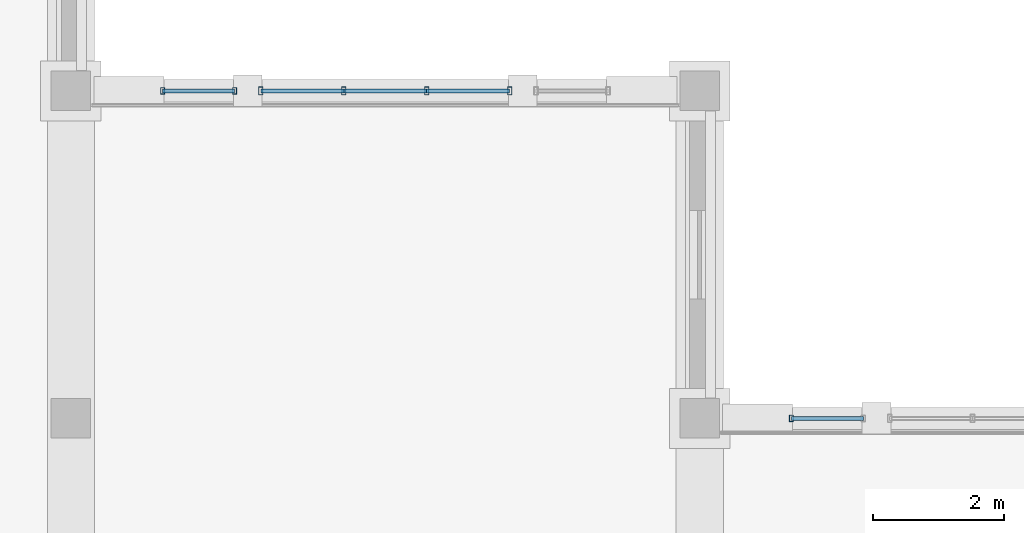
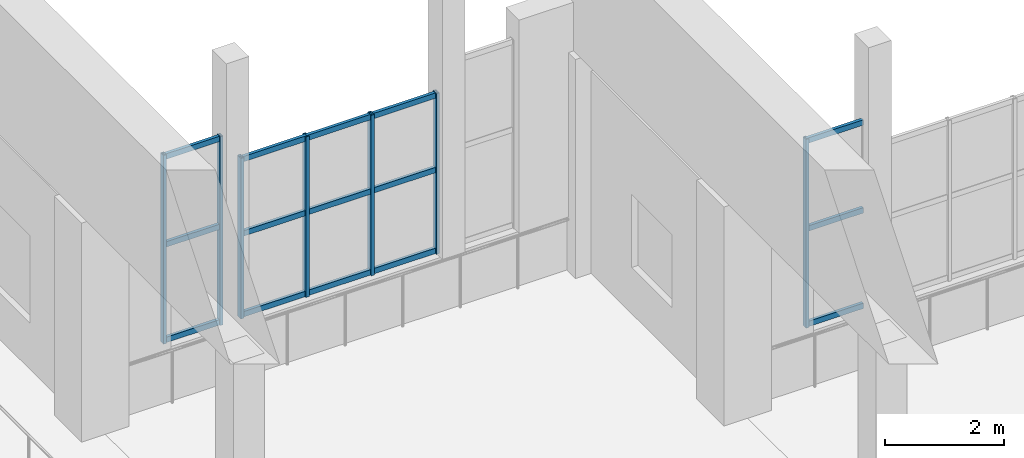
# One storey, part 14 of 46: 22 members, 3 elements without a shape of their own.
"""IFC4 building model written with IfcOpenShell, lengths in metres."""

from ifc_helpers import new_model, si_unit, direction, frame, origin, origin_2d, place, context, subcontext, project, spatial, hollow_rectangle, extrude, material, material_profile, profile_set, type_object, element, aggregate, save


model = new_model("IFC4")

# Units and contexts
model_context = context("Model", 3, precision=1e-05, world=origin(), true_north=direction((0.0, 1.0)))
body_context = subcontext(model_context, "Body", "Model", "MODEL_VIEW")
ifc_project = project(units=[si_unit("LENGTHUNIT", "METRE"), si_unit("AREAUNIT", "SQUARE_METRE"), si_unit("VOLUMEUNIT", "CUBIC_METRE"), si_unit("PLANEANGLEUNIT", "RADIAN"), si_unit("MASSUNIT", "GRAM", prefix="KILO")], contexts=[model_context])

# Site, building, storey
site_placement = place(None, origin())
site = spatial("IfcSite", under=ifc_project, at=site_placement, CompositionType="ELEMENT")
building_placement = place(site_placement, origin())
building = spatial("IfcBuilding", under=site, at=building_placement, Name="Mavantir Sound Aquarium", CompositionType="ELEMENT")
storey_placement = place(building_placement, frame((0.0, 0.0, 15.300048828125)))
storey = spatial("IfcBuildingStorey", under=building, at=storey_placement, Name="L03", CompositionType="ELEMENT", Elevation=15.300048828125)

# Curtain wall, members
ifc_material_1 = material(Name="Anodised Marine Aluminium and Low-E Glass", Category="aluminium")
curtain_wall_type_1 = type_object("IfcCurtainWallType", Name="CW-T20", PredefinedType="USERDEFINED", material=ifc_material_1)
curtain_wall_1_placement = place(storey_placement, origin())
curtain_wall_1 = element("IfcCurtainWall", 1, at=curtain_wall_1_placement, inside=storey, type_object=curtain_wall_type_1, Name="L03 unitised curtain wall CW-20 163", ObjectType="UNITISED GLAZING", PredefinedType="USERDEFINED")
ifc_material_2 = material(Name="Anodised Marine Aluminium 6063-T6", Category="aluminium")
ifc_material_profile_1 = material_profile(ifc_material_2, hollow_rectangle(XDim=0.06005859375, YDim=0.10009765625, WallThickness=0.00390625, at=origin_2d()), Name="ALU-MULLION-100X60")
ifc_profile_set_1 = profile_set([ifc_material_profile_1], Name="Anodised Marine Aluminium 6063-T6")
member_type_1 = type_object("IfcMemberType", Name="CW-MUL-100", PredefinedType="MULLION", material=ifc_profile_set_1)
member_1_placement = place(storey_placement, frame((138.199951171875, 75.800048828125, 1.119873046875), z_axis=(0.0, 0.0, 1.0), x_axis=(1.0, 0.0, 0.0)))
member_1 = element("IfcMember", 2, at=member_1_placement, type_object=member_type_1, Name="CW-DIOC-4N-L vertical mullion 1", PredefinedType="MULLION", context=body_context, shape_type="SweptSolid", body=[
    extrude(hollow_rectangle(XDim=0.06005859375, YDim=0.10009765625, WallThickness=0.00390625, at=origin_2d()), origin(), (0.0, 0.0, 1.0), 3.880126953125),
])
member_2_placement = place(storey_placement, frame((139.300048828125, 75.800048828125, 1.119873046875), z_axis=(0.0, 0.0, 1.0), x_axis=(1.0, 0.0, 0.0)))
member_2 = element("IfcMember", 3, at=member_2_placement, type_object=member_type_1, Name="CW-DIOC-4N-L vertical mullion 2", PredefinedType="MULLION", context=body_context, shape_type="SweptSolid", body=[
    extrude(hollow_rectangle(XDim=0.06005859375, YDim=0.10009765625, WallThickness=0.00390625, at=origin_2d()), origin(), (0.0, 0.0, 1.0), 3.880126953125),
])

# Curtain wall, member
curtain_wall_type_2 = type_object("IfcCurtainWallType", Name="CW-T02", PredefinedType="USERDEFINED", material=ifc_material_1)
curtain_wall_2_placement = place(storey_placement, origin())
curtain_wall_2 = element("IfcCurtainWall", 4, at=curtain_wall_2_placement, inside=storey, type_object=curtain_wall_type_2, Name="L03 unitised curtain wall CW-02 169", ObjectType="UNITISED GLAZING", PredefinedType="USERDEFINED")
member_3_placement = place(storey_placement, frame((147.800048828125, 70.800048828125, 1.119873046875), z_axis=(0.0, 0.0, 1.0), x_axis=(1.0, 0.0, 0.0)))
member_3 = element("IfcMember", 5, at=member_3_placement, type_object=member_type_1, Name="CW-DIOC-5N-L vertical mullion 1", PredefinedType="MULLION", context=body_context, shape_type="SweptSolid", body=[
    extrude(hollow_rectangle(XDim=0.06005859375, YDim=0.10009765625, WallThickness=0.00390625, at=origin_2d()), origin(), (0.0, 0.0, 1.0), 3.880126953125),
])

# Curtain wall, members
curtain_wall_type_3 = type_object("IfcCurtainWallType", Name="CW-T19", PredefinedType="USERDEFINED", material=ifc_material_1)
curtain_wall_3_placement = place(storey_placement, origin())
curtain_wall_3 = element("IfcCurtainWall", 6, at=curtain_wall_3_placement, inside=storey, type_object=curtain_wall_type_3, Name="L03 unitised curtain wall CW-19 162", ObjectType="UNITISED GLAZING", PredefinedType="USERDEFINED")
ifc_material_profile_2 = material_profile(ifc_material_2, hollow_rectangle(XDim=0.06494140625, YDim=0.1201171875, WallThickness=0.00390625, at=origin_2d()), Name="ALU-MULLION-120X65")
ifc_profile_set_2 = profile_set([ifc_material_profile_2], Name="Anodised Marine Aluminium 6063-T6")
member_type_2 = type_object("IfcMemberType", Name="CW-MUL-120", PredefinedType="MULLION", material=ifc_profile_set_2)
member_4_placement = place(storey_placement, frame((139.699951171875, 75.800048828125, 1.119873046875), z_axis=(0.0, 0.0, 1.0), x_axis=(1.0, 0.0, 0.0)))
member_4 = element("IfcMember", 7, at=member_4_placement, type_object=member_type_2, Name="CW-DIOC-4N-C vertical mullion 1", PredefinedType="MULLION", context=body_context, shape_type="SweptSolid", body=[
    extrude(hollow_rectangle(XDim=0.06494140625, YDim=0.1201171875, WallThickness=0.00390625, at=origin_2d()), origin(), (0.0, 0.0, 1.0), 3.300048828125),
])
member_5_placement = place(storey_placement, frame((140.966796875, 75.800048828125, 1.119873046875), z_axis=(0.0, 0.0, 1.0), x_axis=(1.0, 0.0, 0.0)))
member_5 = element("IfcMember", 8, at=member_5_placement, type_object=member_type_2, Name="CW-DIOC-4N-C vertical mullion 2", PredefinedType="MULLION", context=body_context, shape_type="SweptSolid", body=[
    extrude(hollow_rectangle(XDim=0.06494140625, YDim=0.1201171875, WallThickness=0.00390625, at=origin_2d()), origin(), (0.0, 0.0, 1.0), 3.300048828125),
])
member_6_placement = place(storey_placement, frame((142.2333984375, 75.800048828125, 1.119873046875), z_axis=(0.0, 0.0, 1.0), x_axis=(1.0, 0.0, 0.0)))
member_6 = element("IfcMember", 9, at=member_6_placement, type_object=member_type_2, Name="CW-DIOC-4N-C vertical mullion 3", PredefinedType="MULLION", context=body_context, shape_type="SweptSolid", body=[
    extrude(hollow_rectangle(XDim=0.06494140625, YDim=0.1201171875, WallThickness=0.00390625, at=origin_2d()), origin(), (0.0, 0.0, 1.0), 3.300048828125),
])
member_7_placement = place(storey_placement, frame((143.5, 75.800048828125, 1.119873046875), z_axis=(0.0, 0.0, 1.0), x_axis=(1.0, 0.0, 0.0)))
member_7 = element("IfcMember", 10, at=member_7_placement, type_object=member_type_2, Name="CW-DIOC-4N-C vertical mullion 4", PredefinedType="MULLION", context=body_context, shape_type="SweptSolid", body=[
    extrude(hollow_rectangle(XDim=0.06494140625, YDim=0.1201171875, WallThickness=0.00390625, at=origin_2d()), origin(), (0.0, 0.0, 1.0), 3.300048828125),
])
ifc_material_profile_3 = material_profile(ifc_material_2, hollow_rectangle(XDim=0.06005859375, YDim=0.110107421875, WallThickness=0.00390625, at=origin_2d()), Name="ALU-TRANSOM-110X60")
ifc_profile_set_3 = profile_set([ifc_material_profile_3], Name="Anodised Marine Aluminium 6063-T6")
member_type_3 = type_object("IfcMemberType", Name="CW-TRN-110", PredefinedType="USERDEFINED", material=ifc_profile_set_3)
member_8_placement = place(storey_placement, frame((139.699951171875, 75.800048828125, 1.175048828125), z_axis=(1.0, 0.0, 0.0), x_axis=(0.0, 1.0, 0.0)))
member_8 = element("IfcMember", 11, at=member_8_placement, type_object=member_type_3, Name="CW-DIOC-4N-C transom 1.1", ObjectType="TRANSOM", PredefinedType="USERDEFINED", context=body_context, shape_type="SweptSolid", body=[
    extrude(hollow_rectangle(XDim=0.06005859375, YDim=0.110107421875, WallThickness=0.00390625, at=origin_2d()), origin(), (0.0, 0.0, 1.0), 1.266845703125),
])
member_9_placement = place(storey_placement, frame((139.699951171875, 75.800048828125, 2.8359375), z_axis=(1.0, 0.0, 0.0), x_axis=(0.0, 1.0, 0.0)))
member_9 = element("IfcMember", 12, at=member_9_placement, type_object=member_type_3, Name="CW-DIOC-4N-C transom 1.2", ObjectType="TRANSOM", PredefinedType="USERDEFINED", context=body_context, shape_type="SweptSolid", body=[
    extrude(hollow_rectangle(XDim=0.06005859375, YDim=0.110107421875, WallThickness=0.00390625, at=origin_2d()), origin(), (0.0, 0.0, 1.0), 1.266845703125),
])
member_10_placement = place(storey_placement, frame((139.699951171875, 75.800048828125, 4.364990234375), z_axis=(1.0, 0.0, 0.0), x_axis=(0.0, 1.0, 0.0)))
member_10 = element("IfcMember", 13, at=member_10_placement, type_object=member_type_3, Name="CW-DIOC-4N-C transom 1.3", ObjectType="TRANSOM", PredefinedType="USERDEFINED", context=body_context, shape_type="SweptSolid", body=[
    extrude(hollow_rectangle(XDim=0.06005859375, YDim=0.110107421875, WallThickness=0.00390625, at=origin_2d()), origin(), (0.0, 0.0, 1.0), 1.266845703125),
])
member_11_placement = place(storey_placement, frame((140.966796875, 75.800048828125, 1.175048828125), z_axis=(1.0, 0.0, 0.0), x_axis=(0.0, 1.0, 0.0)))
member_11 = element("IfcMember", 14, at=member_11_placement, type_object=member_type_3, Name="CW-DIOC-4N-C transom 2.1", ObjectType="TRANSOM", PredefinedType="USERDEFINED", context=body_context, shape_type="SweptSolid", body=[
    extrude(hollow_rectangle(XDim=0.06005859375, YDim=0.110107421875, WallThickness=0.00390625, at=origin_2d()), origin(), (0.0, 0.0, 1.0), 1.2666015625),
])
member_12_placement = place(storey_placement, frame((140.966796875, 75.800048828125, 2.8359375), z_axis=(1.0, 0.0, 0.0), x_axis=(0.0, 1.0, 0.0)))
member_12 = element("IfcMember", 15, at=member_12_placement, type_object=member_type_3, Name="CW-DIOC-4N-C transom 2.2", ObjectType="TRANSOM", PredefinedType="USERDEFINED", context=body_context, shape_type="SweptSolid", body=[
    extrude(hollow_rectangle(XDim=0.06005859375, YDim=0.110107421875, WallThickness=0.00390625, at=origin_2d()), origin(), (0.0, 0.0, 1.0), 1.2666015625),
])
member_13_placement = place(storey_placement, frame((140.966796875, 75.800048828125, 4.364990234375), z_axis=(1.0, 0.0, 0.0), x_axis=(0.0, 1.0, 0.0)))
member_13 = element("IfcMember", 16, at=member_13_placement, type_object=member_type_3, Name="CW-DIOC-4N-C transom 2.3", ObjectType="TRANSOM", PredefinedType="USERDEFINED", context=body_context, shape_type="SweptSolid", body=[
    extrude(hollow_rectangle(XDim=0.06005859375, YDim=0.110107421875, WallThickness=0.00390625, at=origin_2d()), origin(), (0.0, 0.0, 1.0), 1.2666015625),
])
member_14_placement = place(storey_placement, frame((142.2333984375, 75.800048828125, 1.175048828125), z_axis=(1.0, 0.0, 0.0), x_axis=(0.0, 1.0, 0.0)))
member_14 = element("IfcMember", 17, at=member_14_placement, type_object=member_type_3, Name="CW-DIOC-4N-C transom 3.1", ObjectType="TRANSOM", PredefinedType="USERDEFINED", context=body_context, shape_type="SweptSolid", body=[
    extrude(hollow_rectangle(XDim=0.06005859375, YDim=0.110107421875, WallThickness=0.00390625, at=origin_2d()), origin(), (0.0, 0.0, 1.0), 1.2666015625),
])
member_15_placement = place(storey_placement, frame((142.2333984375, 75.800048828125, 2.8359375), z_axis=(1.0, 0.0, 0.0), x_axis=(0.0, 1.0, 0.0)))
member_15 = element("IfcMember", 18, at=member_15_placement, type_object=member_type_3, Name="CW-DIOC-4N-C transom 3.2", ObjectType="TRANSOM", PredefinedType="USERDEFINED", context=body_context, shape_type="SweptSolid", body=[
    extrude(hollow_rectangle(XDim=0.06005859375, YDim=0.110107421875, WallThickness=0.00390625, at=origin_2d()), origin(), (0.0, 0.0, 1.0), 1.2666015625),
])
member_16_placement = place(storey_placement, frame((142.2333984375, 75.800048828125, 4.364990234375), z_axis=(1.0, 0.0, 0.0), x_axis=(0.0, 1.0, 0.0)))
member_16 = element("IfcMember", 19, at=member_16_placement, type_object=member_type_3, Name="CW-DIOC-4N-C transom 3.3", ObjectType="TRANSOM", PredefinedType="USERDEFINED", context=body_context, shape_type="SweptSolid", body=[
    extrude(hollow_rectangle(XDim=0.06005859375, YDim=0.110107421875, WallThickness=0.00390625, at=origin_2d()), origin(), (0.0, 0.0, 1.0), 1.2666015625),
])
aggregate(curtain_wall_3, [member_4, member_5, member_6, member_7, member_8, member_9, member_10, member_11, member_12, member_13, member_14, member_15, member_16])

# Member
member_17_placement = place(storey_placement, frame((138.199951171875, 75.800048828125, 1.175048828125), z_axis=(1.0, 0.0, 0.0), x_axis=(0.0, 1.0, 0.0)))
member_17 = element("IfcMember", 20, at=member_17_placement, type_object=member_type_3, Name="CW-DIOC-4N-L transom 1.1", ObjectType="TRANSOM", PredefinedType="USERDEFINED", context=body_context, shape_type="SweptSolid", body=[
    extrude(hollow_rectangle(XDim=0.06005859375, YDim=0.110107421875, WallThickness=0.00390625, at=origin_2d()), origin(), (0.0, 0.0, 1.0), 1.10009765625),
])

member_18_placement = place(storey_placement, frame((138.199951171875, 75.800048828125, 3.137451171875), z_axis=(1.0, 0.0, 0.0), x_axis=(0.0, 1.0, 0.0)))
member_18 = element("IfcMember", 21, at=member_18_placement, type_object=member_type_3, Name="CW-DIOC-4N-L transom 1.2", ObjectType="TRANSOM", PredefinedType="USERDEFINED", context=body_context, shape_type="SweptSolid", body=[
    extrude(hollow_rectangle(XDim=0.06005859375, YDim=0.110107421875, WallThickness=0.00390625, at=origin_2d()), origin(), (0.0, 0.0, 1.0), 1.10009765625),
])

member_19_placement = place(storey_placement, frame((138.199951171875, 75.800048828125, 4.945068359375), z_axis=(1.0, 0.0, 0.0), x_axis=(0.0, 1.0, 0.0)))
member_19 = element("IfcMember", 22, at=member_19_placement, type_object=member_type_3, Name="CW-DIOC-4N-L transom 1.3", ObjectType="TRANSOM", PredefinedType="USERDEFINED", context=body_context, shape_type="SweptSolid", body=[
    extrude(hollow_rectangle(XDim=0.06005859375, YDim=0.110107421875, WallThickness=0.00390625, at=origin_2d()), origin(), (0.0, 0.0, 1.0), 1.10009765625),
])

aggregate(curtain_wall_1, [member_1, member_2, member_17, member_18, member_19])

member_20_placement = place(storey_placement, frame((147.800048828125, 70.800048828125, 1.175048828125), z_axis=(1.0, 0.0, 0.0), x_axis=(0.0, 1.0, 0.0)))
member_20 = element("IfcMember", 23, at=member_20_placement, type_object=member_type_3, Name="CW-DIOC-5N-L transom 1.1", ObjectType="TRANSOM", PredefinedType="USERDEFINED", context=body_context, shape_type="SweptSolid", body=[
    extrude(hollow_rectangle(XDim=0.06005859375, YDim=0.110107421875, WallThickness=0.00390625, at=origin_2d()), origin(), (0.0, 0.0, 1.0), 1.099853515625),
])

member_21_placement = place(storey_placement, frame((147.800048828125, 70.800048828125, 3.137451171875), z_axis=(1.0, 0.0, 0.0), x_axis=(0.0, 1.0, 0.0)))
member_21 = element("IfcMember", 24, at=member_21_placement, type_object=member_type_3, Name="CW-DIOC-5N-L transom 1.2", ObjectType="TRANSOM", PredefinedType="USERDEFINED", context=body_context, shape_type="SweptSolid", body=[
    extrude(hollow_rectangle(XDim=0.06005859375, YDim=0.110107421875, WallThickness=0.00390625, at=origin_2d()), origin(), (0.0, 0.0, 1.0), 1.099853515625),
])

member_22_placement = place(storey_placement, frame((147.800048828125, 70.800048828125, 4.945068359375), z_axis=(1.0, 0.0, 0.0), x_axis=(0.0, 1.0, 0.0)))
member_22 = element("IfcMember", 25, at=member_22_placement, type_object=member_type_3, Name="CW-DIOC-5N-L transom 1.3", ObjectType="TRANSOM", PredefinedType="USERDEFINED", context=body_context, shape_type="SweptSolid", body=[
    extrude(hollow_rectangle(XDim=0.06005859375, YDim=0.110107421875, WallThickness=0.00390625, at=origin_2d()), origin(), (0.0, 0.0, 1.0), 1.099853515625),
])

aggregate(curtain_wall_2, [member_3, member_20, member_21, member_22])

save(model, "model.ifc")
